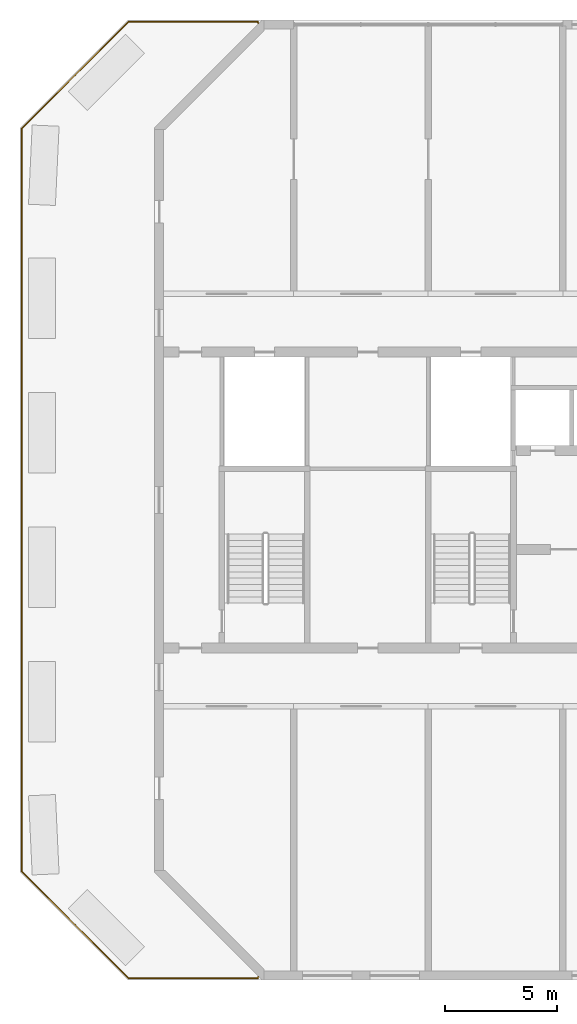
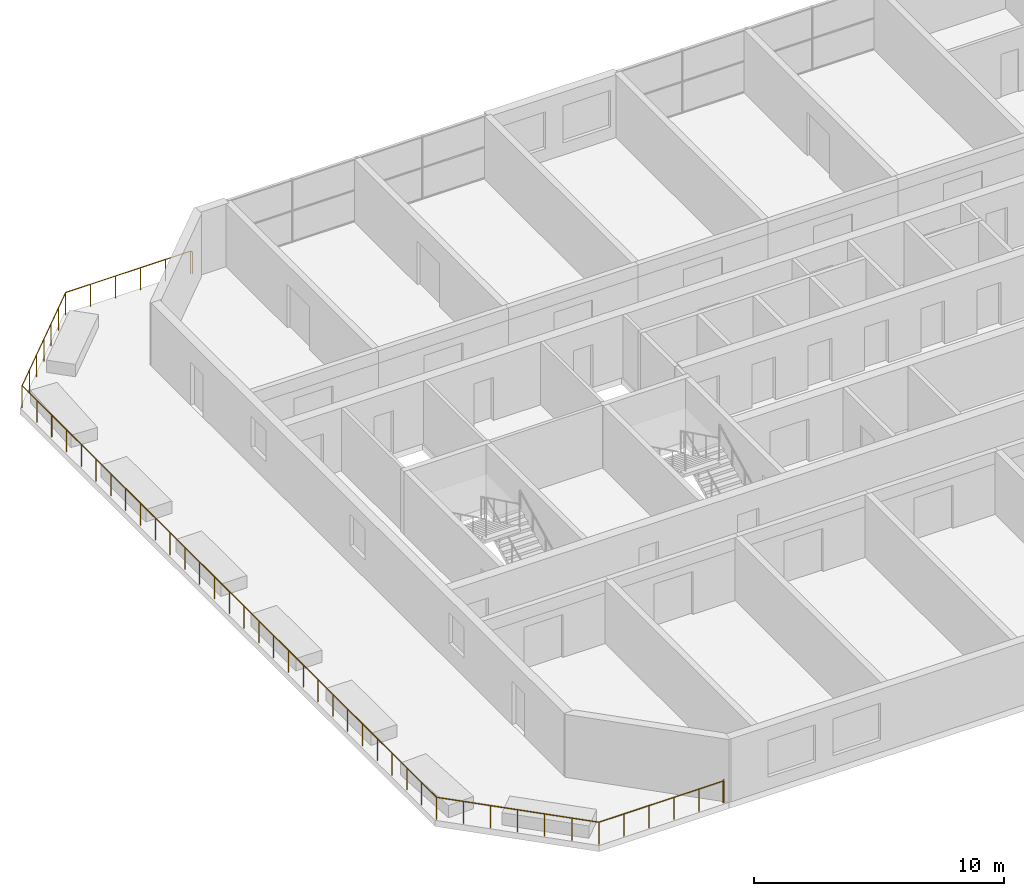
# One storey, part 11 of 14: 1 railing.
"""IFC4 building model written with IfcOpenShell, lengths in metres."""

from ifc_helpers import new_model, si_unit, direction, frame, origin, origin_2d, place, context, subcontext, project, spatial, circle, extrude, material, type_object, element, save


model = new_model("IFC4")

# Units and contexts
model_context = context("Model", 3, precision=1e-05, world=origin(), true_north=direction((0.0, 1.0)))
body_context = subcontext(model_context, "Body", "Model", "MODEL_VIEW")
ifc_project = project(units=[si_unit("LENGTHUNIT", "METRE"), si_unit("AREAUNIT", "SQUARE_METRE"), si_unit("VOLUMEUNIT", "CUBIC_METRE"), si_unit("PLANEANGLEUNIT", "RADIAN"), si_unit("MASSUNIT", "GRAM", prefix="KILO")], contexts=[model_context])

# Site, building, storey
site_placement = place(None, origin())
site = spatial("IfcSite", under=ifc_project, at=site_placement, CompositionType="ELEMENT")
building_placement = place(site_placement, origin())
building = spatial("IfcBuilding", under=site, at=building_placement, Name="Poui Terraces", CompositionType="ELEMENT")
storey_placement = place(building_placement, frame((0.0, 0.0, 158.699951171875)))
storey = spatial("IfcBuildingStorey", under=building, at=storey_placement, Name="L44", CompositionType="ELEMENT", Elevation=158.699951171875)

# Railing
ifc_material = material(Name="Painted steel fretwork", Category="steel")
railing_type = type_object("IfcRailingType", Name="TERRACE GUARD 1100", PredefinedType="GUARDRAIL", material=ifc_material)
railing_placement = place(storey_placement, frame((22.443359375, -0.04345703125, 0.0)))
element("IfcRailing", 1, at=railing_placement, inside=storey, type_object=railing_type, Name="TERRACE GUARD", PredefinedType="GUARDRAIL", context=body_context, shape_type="SweptSolid", body=[
    extrude(circle(Radius=0.02392578125, at=origin_2d()), frame((0.0, 0.0, 1.076171875), z_axis=(-0.705577907011, -0.708632356824, 0.0), x_axis=(0.708632356824, -0.705577907011, 0.0)), (0.0, 0.0, 1.0), 0.079833984375),
    extrude(circle(Radius=0.02392578125, at=origin_2d()), frame((-0.056396484375, -0.056640625, 1.076171875), z_axis=(0.707106781187, -0.707106781187, 0.0), x_axis=(0.707106781187, 0.707106781187, 0.0)), (0.0, 0.0, 1.0), 0.0283203125),
    extrude(circle(Radius=0.02392578125, at=origin_2d()), frame((-0.036376953125, -0.07666015625, 1.076171875), z_axis=(-1.0, 0.0, 0.0), x_axis=(0.0, -1.0, 0.0)), (0.0, 0.0, 1.0), 5.77392578125),
    extrude(circle(Radius=0.02392578125, at=origin_2d()), frame((-5.810302734375, -0.07666015625, 1.076171875), z_axis=(-0.707106781187, 0.707106781187, 0.0), x_axis=(-0.707106781187, -0.707106781187, 0.0)), (0.0, 0.0, 1.0), 6.721923828125),
    extrude(circle(Radius=0.02392578125, at=origin_2d()), frame((-10.5634765625, 4.676513671875, 1.076171875), z_axis=(0.0, 1.0, 0.0), x_axis=(-1.0, 0.0, 0.0)), (0.0, 0.0, 1.0), 33.1337890625),
    extrude(circle(Radius=0.02392578125, at=origin_2d()), frame((-10.5634765625, 37.810302734375, 1.076171875), z_axis=(0.707106781187, 0.707106781187, 0.0), x_axis=(-0.707106781187, 0.707106781187, 0.0)), (0.0, 0.0, 1.0), 6.721923828125),
    extrude(circle(Radius=0.02392578125, at=origin_2d()), frame((-5.810302734375, 42.5634765625, 1.076171875), z_axis=(1.0, 0.0, 0.0), x_axis=(0.0, 1.0, 0.0)), (0.0, 0.0, 1.0), 5.77392578125),
    extrude(circle(Radius=0.02392578125, at=origin_2d()), frame((-0.036376953125, 42.5634765625, 1.076171875), z_axis=(-0.707106781187, -0.707106781187, 0.0), x_axis=(0.707106781187, -0.707106781187, 0.0)), (0.0, 0.0, 1.0), 0.0283203125),
    extrude(circle(Radius=0.02392578125, at=origin_2d()), frame((-0.056396484375, 42.54345703125, 1.076171875), z_axis=(0.705577907011, -0.708632356824, 0.0), x_axis=(0.708632356824, 0.705577907011, 0.0)), (0.0, 0.0, 1.0), 0.079833984375),
    extrude(circle(Radius=0.02099609375, at=origin_2d()), origin(), (0.0, 0.0, 1.0), 1.052001953125),
    extrude(circle(Radius=0.02099609375, at=origin_2d()), frame((-0.056396484375, -0.056640625, 0.0)), (0.0, 0.0, 1.0), 1.052001953125),
    extrude(circle(Radius=0.02099609375, at=origin_2d()), frame((-0.036376953125, -0.07666015625, 0.0)), (0.0, 0.0, 1.0), 1.052001953125),
    extrude(circle(Radius=0.02099609375, at=origin_2d()), frame((-1.191162109375, -0.07666015625, 0.0)), (0.0, 0.0, 1.0), 1.052001953125),
    extrude(circle(Radius=0.02099609375, at=origin_2d()), frame((-2.345947265625, -0.07666015625, 0.0)), (0.0, 0.0, 1.0), 1.052001953125),
    extrude(circle(Radius=0.02099609375, at=origin_2d()), frame((-3.500732421875, -0.07666015625, 0.0)), (0.0, 0.0, 1.0), 1.052001953125),
    extrude(circle(Radius=0.02099609375, at=origin_2d()), frame((-4.655517578125, -0.07666015625, 0.0)), (0.0, 0.0, 1.0), 1.052001953125),
    extrude(circle(Radius=0.02099609375, at=origin_2d()), frame((-5.810302734375, -0.07666015625, 0.0)), (0.0, 0.0, 1.0), 1.052001953125),
    extrude(circle(Radius=0.02099609375, at=origin_2d()), frame((-6.6025390625, 0.715576171875, 0.0)), (0.0, 0.0, 1.0), 1.052001953125),
    extrude(circle(Radius=0.02099609375, at=origin_2d()), frame((-7.394775390625, 1.5078125, 0.0)), (0.0, 0.0, 1.0), 1.052001953125),
    extrude(circle(Radius=0.02099609375, at=origin_2d()), frame((-8.18701171875, 2.2998046875, 0.0)), (0.0, 0.0, 1.0), 1.052001953125),
    extrude(circle(Radius=0.02099609375, at=origin_2d()), frame((-8.97900390625, 3.092041015625, 0.0)), (0.0, 0.0, 1.0), 1.052001953125),
    extrude(circle(Radius=0.02099609375, at=origin_2d()), frame((-9.771240234375, 3.88427734375, 0.0)), (0.0, 0.0, 1.0), 1.052001953125),
    extrude(circle(Radius=0.02099609375, at=origin_2d()), frame((-10.5634765625, 4.676513671875, 0.0)), (0.0, 0.0, 1.0), 1.052001953125),
    extrude(circle(Radius=0.02099609375, at=origin_2d()), frame((-10.5634765625, 5.85986328125, 0.0)), (0.0, 0.0, 1.0), 1.052001953125),
    extrude(circle(Radius=0.02099609375, at=origin_2d()), frame((-10.5634765625, 7.043212890625, 0.0)), (0.0, 0.0, 1.0), 1.052001953125),
    extrude(circle(Radius=0.02099609375, at=origin_2d()), frame((-10.5634765625, 8.2265625, 0.0)), (0.0, 0.0, 1.0), 1.052001953125),
    extrude(circle(Radius=0.02099609375, at=origin_2d()), frame((-10.5634765625, 9.409912109375, 0.0)), (0.0, 0.0, 1.0), 1.052001953125),
    extrude(circle(Radius=0.02099609375, at=origin_2d()), frame((-10.5634765625, 10.59326171875, 0.0)), (0.0, 0.0, 1.0), 1.052001953125),
    extrude(circle(Radius=0.02099609375, at=origin_2d()), frame((-10.5634765625, 11.776611328125, 0.0)), (0.0, 0.0, 1.0), 1.052001953125),
    extrude(circle(Radius=0.02099609375, at=origin_2d()), frame((-10.5634765625, 12.9599609375, 0.0)), (0.0, 0.0, 1.0), 1.052001953125),
    extrude(circle(Radius=0.02099609375, at=origin_2d()), frame((-10.5634765625, 14.143310546875, 0.0)), (0.0, 0.0, 1.0), 1.052001953125),
    extrude(circle(Radius=0.02099609375, at=origin_2d()), frame((-10.5634765625, 15.32666015625, 0.0)), (0.0, 0.0, 1.0), 1.052001953125),
    extrude(circle(Radius=0.02099609375, at=origin_2d()), frame((-10.5634765625, 16.510009765625, 0.0)), (0.0, 0.0, 1.0), 1.052001953125),
    extrude(circle(Radius=0.02099609375, at=origin_2d()), frame((-10.5634765625, 17.693359375, 0.0)), (0.0, 0.0, 1.0), 1.052001953125),
    extrude(circle(Radius=0.02099609375, at=origin_2d()), frame((-10.5634765625, 18.876708984375, 0.0)), (0.0, 0.0, 1.0), 1.052001953125),
    extrude(circle(Radius=0.02099609375, at=origin_2d()), frame((-10.5634765625, 20.06005859375, 0.0)), (0.0, 0.0, 1.0), 1.052001953125),
    extrude(circle(Radius=0.02099609375, at=origin_2d()), frame((-10.5634765625, 21.243408203125, 0.0)), (0.0, 0.0, 1.0), 1.052001953125),
    extrude(circle(Radius=0.02099609375, at=origin_2d()), frame((-10.5634765625, 22.4267578125, 0.0)), (0.0, 0.0, 1.0), 1.052001953125),
    extrude(circle(Radius=0.02099609375, at=origin_2d()), frame((-10.5634765625, 23.610107421875, 0.0)), (0.0, 0.0, 1.0), 1.052001953125),
    extrude(circle(Radius=0.02099609375, at=origin_2d()), frame((-10.5634765625, 24.79345703125, 0.0)), (0.0, 0.0, 1.0), 1.052001953125),
    extrude(circle(Radius=0.02099609375, at=origin_2d()), frame((-10.5634765625, 25.976806640625, 0.0)), (0.0, 0.0, 1.0), 1.052001953125),
    extrude(circle(Radius=0.02099609375, at=origin_2d()), frame((-10.5634765625, 27.16015625, 0.0)), (0.0, 0.0, 1.0), 1.052001953125),
    extrude(circle(Radius=0.02099609375, at=origin_2d()), frame((-10.5634765625, 28.343505859375, 0.0)), (0.0, 0.0, 1.0), 1.052001953125),
    extrude(circle(Radius=0.02099609375, at=origin_2d()), frame((-10.5634765625, 29.52685546875, 0.0)), (0.0, 0.0, 1.0), 1.052001953125),
    extrude(circle(Radius=0.02099609375, at=origin_2d()), frame((-10.5634765625, 30.710205078125, 0.0)), (0.0, 0.0, 1.0), 1.052001953125),
    extrude(circle(Radius=0.02099609375, at=origin_2d()), frame((-10.5634765625, 31.8935546875, 0.0)), (0.0, 0.0, 1.0), 1.052001953125),
    extrude(circle(Radius=0.02099609375, at=origin_2d()), frame((-10.5634765625, 33.076904296875, 0.0)), (0.0, 0.0, 1.0), 1.052001953125),
    extrude(circle(Radius=0.02099609375, at=origin_2d()), frame((-10.5634765625, 34.26025390625, 0.0)), (0.0, 0.0, 1.0), 1.052001953125),
    extrude(circle(Radius=0.02099609375, at=origin_2d()), frame((-10.5634765625, 35.443603515625, 0.0)), (0.0, 0.0, 1.0), 1.052001953125),
    extrude(circle(Radius=0.02099609375, at=origin_2d()), frame((-10.5634765625, 36.626953125, 0.0)), (0.0, 0.0, 1.0), 1.052001953125),
    extrude(circle(Radius=0.02099609375, at=origin_2d()), frame((-10.5634765625, 37.810302734375, 0.0)), (0.0, 0.0, 1.0), 1.052001953125),
    extrude(circle(Radius=0.02099609375, at=origin_2d()), frame((-9.771240234375, 38.6025390625, 0.0)), (0.0, 0.0, 1.0), 1.052001953125),
    extrude(circle(Radius=0.02099609375, at=origin_2d()), frame((-8.97900390625, 39.394775390625, 0.0)), (0.0, 0.0, 1.0), 1.052001953125),
    extrude(circle(Radius=0.02099609375, at=origin_2d()), frame((-8.18701171875, 40.18701171875, 0.0)), (0.0, 0.0, 1.0), 1.052001953125),
    extrude(circle(Radius=0.02099609375, at=origin_2d()), frame((-7.394775390625, 40.97900390625, 0.0)), (0.0, 0.0, 1.0), 1.052001953125),
    extrude(circle(Radius=0.02099609375, at=origin_2d()), frame((-6.6025390625, 41.771240234375, 0.0)), (0.0, 0.0, 1.0), 1.052001953125),
    extrude(circle(Radius=0.02099609375, at=origin_2d()), frame((-5.810302734375, 42.5634765625, 0.0)), (0.0, 0.0, 1.0), 1.052001953125),
    extrude(circle(Radius=0.02099609375, at=origin_2d()), frame((-4.655517578125, 42.5634765625, 0.0)), (0.0, 0.0, 1.0), 1.052001953125),
    extrude(circle(Radius=0.02099609375, at=origin_2d()), frame((-3.500732421875, 42.5634765625, 0.0)), (0.0, 0.0, 1.0), 1.052001953125),
    extrude(circle(Radius=0.02099609375, at=origin_2d()), frame((-2.345947265625, 42.5634765625, 0.0)), (0.0, 0.0, 1.0), 1.052001953125),
    extrude(circle(Radius=0.02099609375, at=origin_2d()), frame((-1.191162109375, 42.5634765625, 0.0)), (0.0, 0.0, 1.0), 1.052001953125),
    extrude(circle(Radius=0.02099609375, at=origin_2d()), frame((-0.036376953125, 42.5634765625, 0.0)), (0.0, 0.0, 1.0), 1.052001953125),
    extrude(circle(Radius=0.02099609375, at=origin_2d()), frame((-0.056396484375, 42.54345703125, 0.0)), (0.0, 0.0, 1.0), 1.052001953125),
    extrude(circle(Radius=0.02099609375, at=origin_2d()), frame((0.0, 42.48681640625, 0.0)), (0.0, 0.0, 1.0), 1.052001953125),
])

save(model, "model.ifc")
